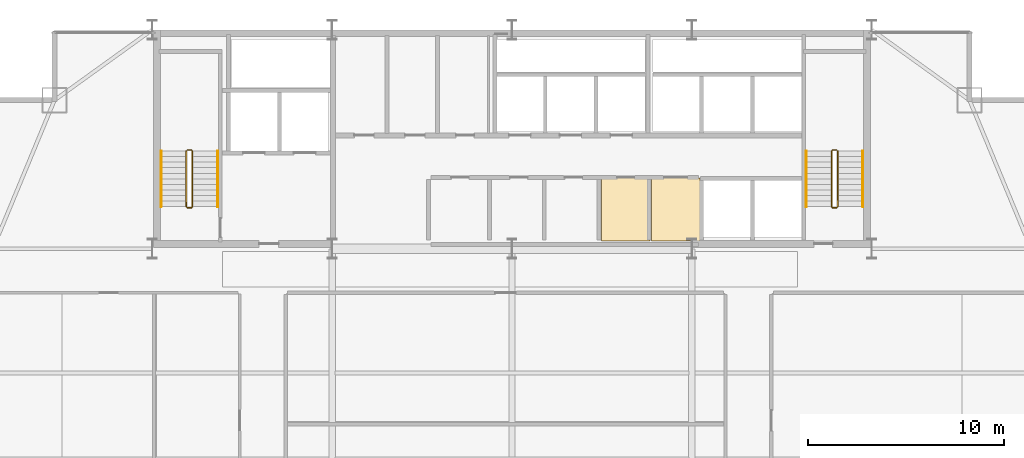
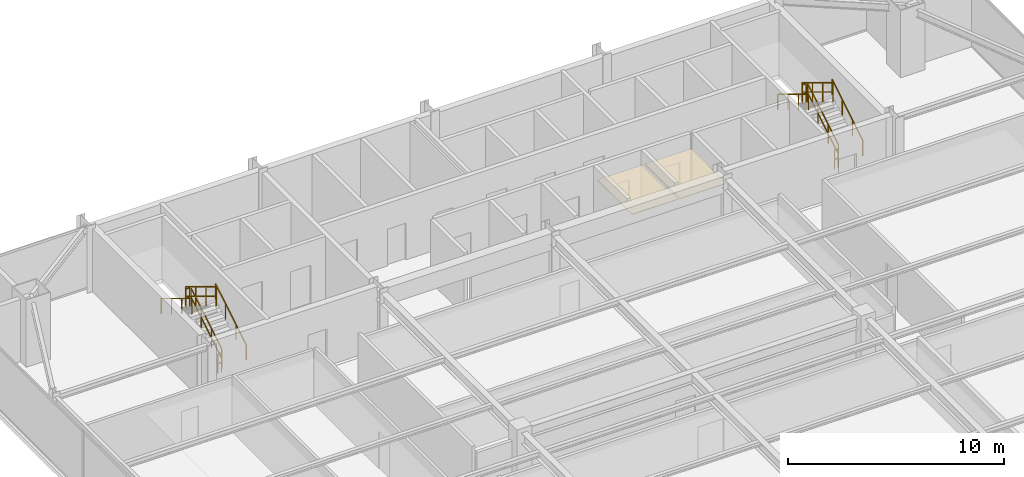
# One storey, part 31 of 31: 12 railings, 2 coverings.
"""IFC4 building model written with IfcOpenShell, lengths in metres."""

from ifc_helpers import new_model, si_unit, direction, frame, origin, origin_2d, place, context, subcontext, project, spatial, polyline, rectangle, outline, extrude, material, layer, layer_set, type_object, element, save


model = new_model("IFC4")

# Units and contexts
model_context = context("Model", 3, precision=1e-05, world=origin(), true_north=direction((0.0, 1.0)))
body_context = subcontext(model_context, "Body", "Model", "MODEL_VIEW")
ifc_project = project(units=[si_unit("LENGTHUNIT", "METRE"), si_unit("AREAUNIT", "SQUARE_METRE"), si_unit("VOLUMEUNIT", "CUBIC_METRE"), si_unit("PLANEANGLEUNIT", "RADIAN"), si_unit("MASSUNIT", "GRAM", prefix="KILO")], contexts=[model_context])

# Site, building, storey
site_placement = place(None, origin())
site = spatial("IfcSite", under=ifc_project, at=site_placement, CompositionType="ELEMENT")
building_placement = place(site_placement, origin())
building = spatial("IfcBuilding", under=site, at=building_placement, Name="Varnel Quay Broadcast Tower", CompositionType="ELEMENT")
storey_placement = place(building_placement, frame((0.0, 0.0, 153.39990234375)))
storey = spatial("IfcBuildingStorey", under=building, at=storey_placement, Name="L37", CompositionType="ELEMENT", Elevation=153.39990234375)

# Coverings
ifc_material_1 = material(Name="Micro-Perforated Acoustic Ceiling Tile")
ifc_layer = layer(ifc_material_1, 0.0400390625, Name="Micro-Perforated Acoustic Ceiling Tile")
ifc_layer_set = layer_set([ifc_layer], Name="Micro-Perforated Acoustic Ceiling Tile")
covering_type = type_object("IfcCoveringType", Name="Cov_AcousticCeiling", PredefinedType="CEILING", material=ifc_layer_set)
covering_1_placement = place(storey_placement, frame((0.0, 0.0, 2.580078125)))
element("IfcCovering", 1, at=covering_1_placement, inside=storey, type_object=covering_type, Name="L37 Cleaners' & Linen Store Acoustic Ceiling", PredefinedType="CEILING", context=body_context, shape_type="SweptSolid", body=[
    extrude(outline(polyline([(38.5849609375, 35.985107421875), (41.06494140625, 35.985107421875), (41.06494140625, 39.215087890625), (38.5849609375, 39.215087890625), (38.5849609375, 35.985107421875)])), origin(), (0.0, 0.0, 1.0), 0.0400390625),
])
covering_2_placement = place(storey_placement, frame((0.0, 0.0, 2.580078125)))
element("IfcCovering", 2, at=covering_2_placement, inside=storey, type_object=covering_type, Name="L37 Telecom IDF Closet Acoustic Ceiling", PredefinedType="CEILING", context=body_context, shape_type="SweptSolid", body=[
    extrude(outline(polyline([(41.135009765625, 35.985107421875), (43.614990234375, 35.985107421875), (43.614990234375, 39.215087890625), (41.135009765625, 39.215087890625), (41.135009765625, 35.985107421875)])), origin(), (0.0, 0.0, 1.0), 0.0400390625),
])

# Railings
ifc_material_2 = material(Name="Painted Steel Guard and Handrail CSA G40.21 350W", Category="steel")
railing_type_1 = type_object("IfcRailingType", Name="Rail_StairGuard1100", PredefinedType="GUARDRAIL", material=ifc_material_2)
railing_1_placement = place(storey_placement, frame((17.64990234375, 37.75, 0.1728515625)))
element("IfcRailing", 3, at=railing_1_placement, inside=storey, type_object=railing_type_1, Name="L37 ST-01 stair guard 1", PredefinedType="GUARDRAIL", context=body_context, shape_type="SweptSolid", body=[
    extrude(rectangle(XDim=0.048095703125, YDim=0.048095703125, at=origin_2d()), frame((0.0, 0.0, 1.076171875), z_axis=(0.0, 0.855202751398, 0.518293598264), x_axis=(-1.0, 0.0, 0.0)), (0.0, 0.0, 1.0), 3.332763671875),
    extrude(rectangle(XDim=0.048095703125, YDim=0.048095703125, at=origin_2d()), frame((0.0, 0.0, 0.550048828125), z_axis=(0.0, 0.855202751398, 0.518293598264), x_axis=(-1.0, 0.0, 0.0)), (0.0, 0.0, 1.0), 3.332763671875),
    extrude(rectangle(XDim=0.0419921875, YDim=0.0419921875, at=origin_2d()), origin(), (0.0, 0.0, 1.0), 1.052001953125),
    extrude(rectangle(XDim=0.0419921875, YDim=0.0419921875, at=origin_2d()), frame((0.0, 0.949951171875, 0.57568359375)), (0.0, 0.0, 1.0), 1.052001953125),
    extrude(rectangle(XDim=0.0419921875, YDim=0.0419921875, at=origin_2d()), frame((0.0, 1.900146484375, 1.151611328125)), (0.0, 0.0, 1.0), 1.052001953125),
    extrude(rectangle(XDim=0.0419921875, YDim=0.0419921875, at=origin_2d()), frame((0.0, 2.85009765625, 1.727294921875)), (0.0, 0.0, 1.0), 1.052001953125),
])
railing_2_placement = place(storey_placement, frame((17.60009765625, 40.64990234375, 1.900146484375)))
element("IfcRailing", 4, at=railing_2_placement, inside=storey, type_object=railing_type_1, Name="L37 ST-01 stair guard 2", PredefinedType="GUARDRAIL", context=body_context, shape_type="SweptSolid", body=[
    extrude(rectangle(XDim=0.048095703125, YDim=0.048095703125, at=origin_2d()), frame((0.0, 0.0, 1.076171875), z_axis=(-1.0, 0.0, 0.0), x_axis=(0.0, -1.0, 0.0)), (0.0, 0.0, 1.0), 0.2001953125),
    extrude(rectangle(XDim=0.048095703125, YDim=0.048095703125, at=origin_2d()), frame((0.0, 0.0, 0.550048828125), z_axis=(-1.0, 0.0, 0.0), x_axis=(0.0, -1.0, 0.0)), (0.0, 0.0, 1.0), 0.2001953125),
    extrude(rectangle(XDim=0.0419921875, YDim=0.0419921875, at=origin_2d()), origin(), (0.0, 0.0, 1.0), 1.052001953125),
    extrude(rectangle(XDim=0.0419921875, YDim=0.0419921875, at=origin_2d()), frame((-0.2001953125, 0.0, 0.0)), (0.0, 0.0, 1.0), 1.052001953125),
])
railing_3_placement = place(storey_placement, frame((17.35009765625, 40.60009765625, 2.07275390625)))
element("IfcRailing", 5, at=railing_3_placement, inside=storey, type_object=railing_type_1, Name="L37 ST-01 stair guard 3", PredefinedType="GUARDRAIL", context=body_context, shape_type="SweptSolid", body=[
    extrude(rectangle(XDim=0.048095703125, YDim=0.048095703125, at=origin_2d()), frame((0.0, 0.0, 1.076171875), z_axis=(0.0, -0.855202751398, 0.518293598264), x_axis=(1.0, 0.0, 0.0)), (0.0, 0.0, 1.0), 3.332763671875),
    extrude(rectangle(XDim=0.048095703125, YDim=0.048095703125, at=origin_2d()), frame((0.0, 0.0, 0.550048828125), z_axis=(0.0, -0.855202751398, 0.518293598264), x_axis=(1.0, 0.0, 0.0)), (0.0, 0.0, 1.0), 3.332763671875),
    extrude(rectangle(XDim=0.0419921875, YDim=0.0419921875, at=origin_2d()), origin(), (0.0, 0.0, 1.0), 1.052001953125),
    extrude(rectangle(XDim=0.0419921875, YDim=0.0419921875, at=origin_2d()), frame((0.0, -0.949951171875, 0.57568359375)), (0.0, 0.0, 1.0), 1.052001953125),
    extrude(rectangle(XDim=0.0419921875, YDim=0.0419921875, at=origin_2d()), frame((0.0, -1.900146484375, 1.151611328125)), (0.0, 0.0, 1.0), 1.052001953125),
    extrude(rectangle(XDim=0.0419921875, YDim=0.0419921875, at=origin_2d()), frame((0.0, -2.85009765625, 1.727294921875)), (0.0, 0.0, 1.0), 1.052001953125),
])
railing_4_placement = place(storey_placement, frame((17.60009765625, 37.699951171875, 0.0)))
element("IfcRailing", 6, at=railing_4_placement, inside=storey, type_object=railing_type_1, Name="L37 ST-01 stair guard 4", PredefinedType="GUARDRAIL", context=body_context, shape_type="SweptSolid", body=[
    extrude(rectangle(XDim=0.048095703125, YDim=0.048095703125, at=origin_2d()), frame((0.0, 0.0, 1.076171875), z_axis=(-1.0, 0.0, 0.0), x_axis=(0.0, -1.0, 0.0)), (0.0, 0.0, 1.0), 0.2001953125),
    extrude(rectangle(XDim=0.048095703125, YDim=0.048095703125, at=origin_2d()), frame((0.0, 0.0, 0.550048828125), z_axis=(-1.0, 0.0, 0.0), x_axis=(0.0, -1.0, 0.0)), (0.0, 0.0, 1.0), 0.2001953125),
    extrude(rectangle(XDim=0.0419921875, YDim=0.0419921875, at=origin_2d()), origin(), (0.0, 0.0, 1.0), 1.052001953125),
    extrude(rectangle(XDim=0.0419921875, YDim=0.0419921875, at=origin_2d()), frame((-0.2001953125, 0.0, 0.0)), (0.0, 0.0, 1.0), 1.052001953125),
])
railing_5_placement = place(storey_placement, frame((50.64990234375, 37.75, 0.1728515625)))
element("IfcRailing", 7, at=railing_5_placement, inside=storey, type_object=railing_type_1, Name="L37 ST-02 stair guard 1", PredefinedType="GUARDRAIL", context=body_context, shape_type="SweptSolid", body=[
    extrude(rectangle(XDim=0.048095703125, YDim=0.048095703125, at=origin_2d()), frame((0.0, 0.0, 1.076171875), z_axis=(0.0, 0.855202751398, 0.518293598264), x_axis=(-1.0, 0.0, 0.0)), (0.0, 0.0, 1.0), 3.332763671875),
    extrude(rectangle(XDim=0.048095703125, YDim=0.048095703125, at=origin_2d()), frame((0.0, 0.0, 0.550048828125), z_axis=(0.0, 0.855202751398, 0.518293598264), x_axis=(-1.0, 0.0, 0.0)), (0.0, 0.0, 1.0), 3.332763671875),
    extrude(rectangle(XDim=0.0419921875, YDim=0.0419921875, at=origin_2d()), origin(), (0.0, 0.0, 1.0), 1.052001953125),
    extrude(rectangle(XDim=0.0419921875, YDim=0.0419921875, at=origin_2d()), frame((0.0, 0.949951171875, 0.57568359375)), (0.0, 0.0, 1.0), 1.052001953125),
    extrude(rectangle(XDim=0.0419921875, YDim=0.0419921875, at=origin_2d()), frame((0.0, 1.900146484375, 1.151611328125)), (0.0, 0.0, 1.0), 1.052001953125),
    extrude(rectangle(XDim=0.0419921875, YDim=0.0419921875, at=origin_2d()), frame((0.0, 2.85009765625, 1.727294921875)), (0.0, 0.0, 1.0), 1.052001953125),
])
railing_6_placement = place(storey_placement, frame((50.60009765625, 40.64990234375, 1.900146484375)))
element("IfcRailing", 8, at=railing_6_placement, inside=storey, type_object=railing_type_1, Name="L37 ST-02 stair guard 2", PredefinedType="GUARDRAIL", context=body_context, shape_type="SweptSolid", body=[
    extrude(rectangle(XDim=0.048095703125, YDim=0.048095703125, at=origin_2d()), frame((0.0, 0.0, 1.076171875), z_axis=(-1.0, 0.0, 0.0), x_axis=(0.0, -1.0, 0.0)), (0.0, 0.0, 1.0), 0.2001953125),
    extrude(rectangle(XDim=0.048095703125, YDim=0.048095703125, at=origin_2d()), frame((0.0, 0.0, 0.550048828125), z_axis=(-1.0, 0.0, 0.0), x_axis=(0.0, -1.0, 0.0)), (0.0, 0.0, 1.0), 0.2001953125),
    extrude(rectangle(XDim=0.0419921875, YDim=0.0419921875, at=origin_2d()), origin(), (0.0, 0.0, 1.0), 1.052001953125),
    extrude(rectangle(XDim=0.0419921875, YDim=0.0419921875, at=origin_2d()), frame((-0.2001953125, 0.0, 0.0)), (0.0, 0.0, 1.0), 1.052001953125),
])
railing_7_placement = place(storey_placement, frame((50.35009765625, 40.60009765625, 2.07275390625)))
element("IfcRailing", 9, at=railing_7_placement, inside=storey, type_object=railing_type_1, Name="L37 ST-02 stair guard 3", PredefinedType="GUARDRAIL", context=body_context, shape_type="SweptSolid", body=[
    extrude(rectangle(XDim=0.048095703125, YDim=0.048095703125, at=origin_2d()), frame((0.0, 0.0, 1.076171875), z_axis=(0.0, -0.855202751398, 0.518293598264), x_axis=(1.0, 0.0, 0.0)), (0.0, 0.0, 1.0), 3.332763671875),
    extrude(rectangle(XDim=0.048095703125, YDim=0.048095703125, at=origin_2d()), frame((0.0, 0.0, 0.550048828125), z_axis=(0.0, -0.855202751398, 0.518293598264), x_axis=(1.0, 0.0, 0.0)), (0.0, 0.0, 1.0), 3.332763671875),
    extrude(rectangle(XDim=0.0419921875, YDim=0.0419921875, at=origin_2d()), origin(), (0.0, 0.0, 1.0), 1.052001953125),
    extrude(rectangle(XDim=0.0419921875, YDim=0.0419921875, at=origin_2d()), frame((0.0, -0.949951171875, 0.57568359375)), (0.0, 0.0, 1.0), 1.052001953125),
    extrude(rectangle(XDim=0.0419921875, YDim=0.0419921875, at=origin_2d()), frame((0.0, -1.900146484375, 1.151611328125)), (0.0, 0.0, 1.0), 1.052001953125),
    extrude(rectangle(XDim=0.0419921875, YDim=0.0419921875, at=origin_2d()), frame((0.0, -2.85009765625, 1.727294921875)), (0.0, 0.0, 1.0), 1.052001953125),
])
railing_8_placement = place(storey_placement, frame((50.60009765625, 37.699951171875, 0.0)))
element("IfcRailing", 10, at=railing_8_placement, inside=storey, type_object=railing_type_1, Name="L37 ST-02 stair guard 4", PredefinedType="GUARDRAIL", context=body_context, shape_type="SweptSolid", body=[
    extrude(rectangle(XDim=0.048095703125, YDim=0.048095703125, at=origin_2d()), frame((0.0, 0.0, 1.076171875), z_axis=(-1.0, 0.0, 0.0), x_axis=(0.0, -1.0, 0.0)), (0.0, 0.0, 1.0), 0.2001953125),
    extrude(rectangle(XDim=0.048095703125, YDim=0.048095703125, at=origin_2d()), frame((0.0, 0.0, 0.550048828125), z_axis=(-1.0, 0.0, 0.0), x_axis=(0.0, -1.0, 0.0)), (0.0, 0.0, 1.0), 0.2001953125),
    extrude(rectangle(XDim=0.0419921875, YDim=0.0419921875, at=origin_2d()), origin(), (0.0, 0.0, 1.0), 1.052001953125),
    extrude(rectangle(XDim=0.0419921875, YDim=0.0419921875, at=origin_2d()), frame((-0.2001953125, 0.0, 0.0)), (0.0, 0.0, 1.0), 1.052001953125),
])
railing_type_2 = type_object("IfcRailingType", Name="Rail_StairHandrail900", PredefinedType="HANDRAIL", material=ifc_material_2)
railing_9_placement = place(storey_placement, frame((18.949951171875, 37.75, 0.1728515625)))
element("IfcRailing", 11, at=railing_9_placement, inside=storey, type_object=railing_type_2, Name="L37 ST-01 stair handrail 1", PredefinedType="HANDRAIL", context=body_context, shape_type="SweptSolid", body=[
    extrude(rectangle(XDim=0.048095703125, YDim=0.048095703125, at=origin_2d()), frame((0.0, 0.0, 0.8759765625), z_axis=(0.0, 0.855202751398, 0.518293598264), x_axis=(-1.0, 0.0, 0.0)), (0.0, 0.0, 1.0), 3.332763671875),
    extrude(rectangle(XDim=0.0419921875, YDim=0.0419921875, at=origin_2d()), origin(), (0.0, 0.0, 1.0), 0.851806640625),
    extrude(rectangle(XDim=0.0419921875, YDim=0.0419921875, at=origin_2d()), frame((0.0, 0.949951171875, 0.57568359375)), (0.0, 0.0, 1.0), 0.851806640625),
    extrude(rectangle(XDim=0.0419921875, YDim=0.0419921875, at=origin_2d()), frame((0.0, 1.900146484375, 1.151611328125)), (0.0, 0.0, 1.0), 0.851806640625),
    extrude(rectangle(XDim=0.0419921875, YDim=0.0419921875, at=origin_2d()), frame((0.0, 2.85009765625, 1.727294921875)), (0.0, 0.0, 1.0), 0.851806640625),
])
railing_10_placement = place(storey_placement, frame((16.050048828125, 40.60009765625, 2.07275390625)))
element("IfcRailing", 12, at=railing_10_placement, inside=storey, type_object=railing_type_2, Name="L37 ST-01 stair handrail 2", PredefinedType="HANDRAIL", context=body_context, shape_type="SweptSolid", body=[
    extrude(rectangle(XDim=0.048095703125, YDim=0.048095703125, at=origin_2d()), frame((0.0, 0.0, 0.8759765625), z_axis=(0.0, -0.855202751398, 0.518293598264), x_axis=(1.0, 0.0, 0.0)), (0.0, 0.0, 1.0), 3.332763671875),
    extrude(rectangle(XDim=0.0419921875, YDim=0.0419921875, at=origin_2d()), origin(), (0.0, 0.0, 1.0), 0.851806640625),
    extrude(rectangle(XDim=0.0419921875, YDim=0.0419921875, at=origin_2d()), frame((0.0, -0.949951171875, 0.57568359375)), (0.0, 0.0, 1.0), 0.851806640625),
    extrude(rectangle(XDim=0.0419921875, YDim=0.0419921875, at=origin_2d()), frame((0.0, -1.900146484375, 1.151611328125)), (0.0, 0.0, 1.0), 0.851806640625),
    extrude(rectangle(XDim=0.0419921875, YDim=0.0419921875, at=origin_2d()), frame((0.0, -2.85009765625, 1.727294921875)), (0.0, 0.0, 1.0), 0.851806640625),
])
railing_11_placement = place(storey_placement, frame((51.949951171875, 37.75, 0.1728515625)))
element("IfcRailing", 13, at=railing_11_placement, inside=storey, type_object=railing_type_2, Name="L37 ST-02 stair handrail 1", PredefinedType="HANDRAIL", context=body_context, shape_type="SweptSolid", body=[
    extrude(rectangle(XDim=0.048095703125, YDim=0.048095703125, at=origin_2d()), frame((0.0, 0.0, 0.8759765625), z_axis=(0.0, 0.855202751398, 0.518293598264), x_axis=(-1.0, 0.0, 0.0)), (0.0, 0.0, 1.0), 3.332763671875),
    extrude(rectangle(XDim=0.0419921875, YDim=0.0419921875, at=origin_2d()), origin(), (0.0, 0.0, 1.0), 0.851806640625),
    extrude(rectangle(XDim=0.0419921875, YDim=0.0419921875, at=origin_2d()), frame((0.0, 0.949951171875, 0.57568359375)), (0.0, 0.0, 1.0), 0.851806640625),
    extrude(rectangle(XDim=0.0419921875, YDim=0.0419921875, at=origin_2d()), frame((0.0, 1.900146484375, 1.151611328125)), (0.0, 0.0, 1.0), 0.851806640625),
    extrude(rectangle(XDim=0.0419921875, YDim=0.0419921875, at=origin_2d()), frame((0.0, 2.85009765625, 1.727294921875)), (0.0, 0.0, 1.0), 0.851806640625),
])
railing_12_placement = place(storey_placement, frame((49.050048828125, 40.60009765625, 2.07275390625)))
element("IfcRailing", 14, at=railing_12_placement, inside=storey, type_object=railing_type_2, Name="L37 ST-02 stair handrail 2", PredefinedType="HANDRAIL", context=body_context, shape_type="SweptSolid", body=[
    extrude(rectangle(XDim=0.048095703125, YDim=0.048095703125, at=origin_2d()), frame((0.0, 0.0, 0.8759765625), z_axis=(0.0, -0.855202751398, 0.518293598264), x_axis=(1.0, 0.0, 0.0)), (0.0, 0.0, 1.0), 3.332763671875),
    extrude(rectangle(XDim=0.0419921875, YDim=0.0419921875, at=origin_2d()), origin(), (0.0, 0.0, 1.0), 0.851806640625),
    extrude(rectangle(XDim=0.0419921875, YDim=0.0419921875, at=origin_2d()), frame((0.0, -0.949951171875, 0.57568359375)), (0.0, 0.0, 1.0), 0.851806640625),
    extrude(rectangle(XDim=0.0419921875, YDim=0.0419921875, at=origin_2d()), frame((0.0, -1.900146484375, 1.151611328125)), (0.0, 0.0, 1.0), 0.851806640625),
    extrude(rectangle(XDim=0.0419921875, YDim=0.0419921875, at=origin_2d()), frame((0.0, -2.85009765625, 1.727294921875)), (0.0, 0.0, 1.0), 0.851806640625),
])

save(model, "model.ifc")
